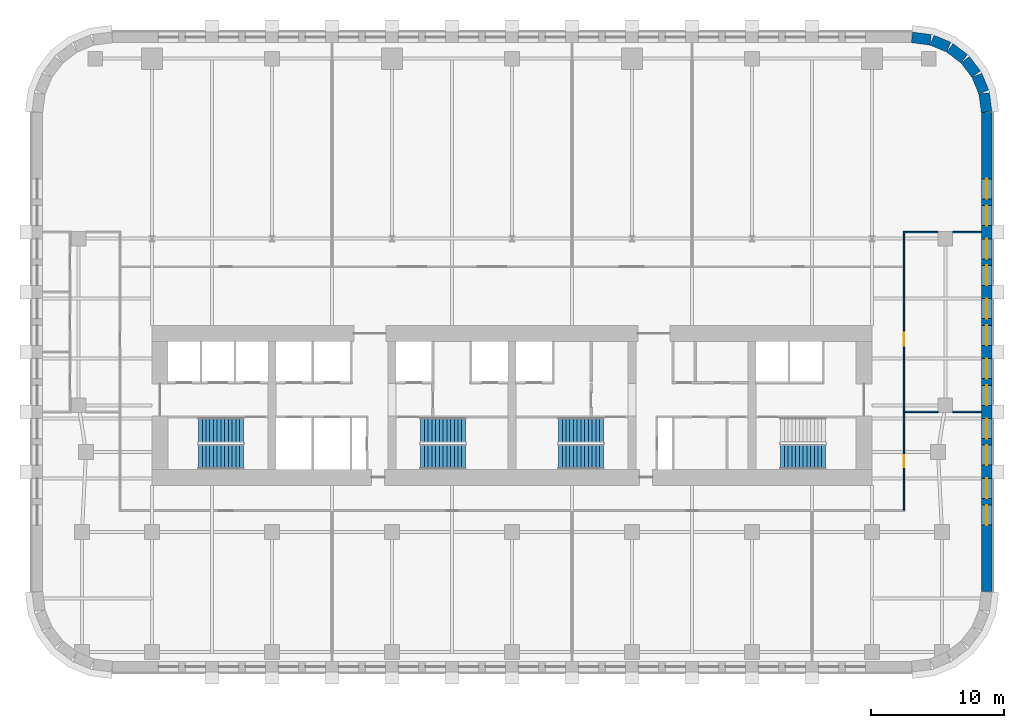
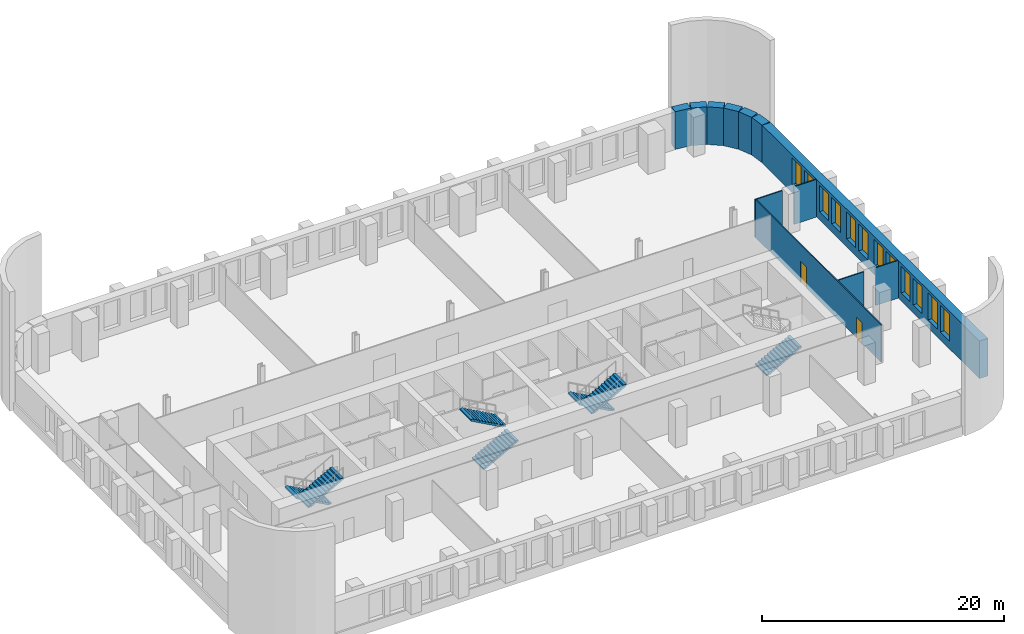
# One storey, part 8 of 11: 12 walls, 12 windows, 7 stair flights, 2 doors, 14 openings, 4 elements without a shape of their own.
"""IFC4 building model written with IfcOpenShell, lengths in metres."""

from ifc_helpers import new_model, si_unit, direction, frame, frame_2d, origin, place, context, subcontext, project, spatial, polyline, rectangle, outline, extrude, material, layer, layer_set, type_object, element, fill, aggregate, save


model = new_model("IFC4")

# Units and contexts
model_context = context("Model", 3, precision=1e-05, world=origin(), true_north=direction((0.0, 1.0)))
body_context = subcontext(model_context, "Body", "Model", "MODEL_VIEW")
ifc_project = project(units=[si_unit("LENGTHUNIT", "METRE"), si_unit("AREAUNIT", "SQUARE_METRE"), si_unit("VOLUMEUNIT", "CUBIC_METRE"), si_unit("PLANEANGLEUNIT", "RADIAN"), si_unit("MASSUNIT", "GRAM", prefix="KILO")], contexts=[model_context])

# Site, building, storey
site_placement = place(None, origin())
site = spatial("IfcSite", under=ifc_project, at=site_placement, CompositionType="ELEMENT")
building_placement = place(site_placement, origin())
building = spatial("IfcBuilding", under=site, at=building_placement, Name="Zellij Exchange Tower", CompositionType="ELEMENT")
storey_placement = place(building_placement, frame((0.0, 0.0, 64.5)))
storey = spatial("IfcBuildingStorey", under=building, at=storey_placement, Name="L12", CompositionType="ELEMENT", Elevation=64.5)

# Wall, openings, windows
ifc_material_1 = material(Name="Precast concrete C40/50", Category="concrete")
ifc_layer_1 = layer(ifc_material_1, 0.800048828125)
ifc_layer_set_1 = layer_set([ifc_layer_1], Name="Precast concrete C40/50")
wall_type_1 = type_object("IfcWallType", Name="ENV-EW1 Precast stone-piered wall 800", PredefinedType="SOLIDWALL", material=ifc_layer_set_1)
wall_1_placement = place(storey_placement, frame((35.60009765625, -21.947509765625, 0.0), z_axis=(0.0, 0.0, 1.0), x_axis=(0.0, 1.0, 0.0)))
wall_1 = element("IfcWall", 1, at=wall_1_placement, inside=storey, type_object=wall_type_1, Name="fac.L12.07", PredefinedType="SOLIDWALL", context=body_context, shape_type="SweptSolid", body=[
    extrude(rectangle(XDim=35.89501953125, YDim=0.800048828125, at=frame_2d((17.947509765625, 0.0))), origin(), (0.0, 0.0, 1.0), 3.800048828125),
])
opening_1_placement = place(wall_1_placement, frame((4.9638671875, 0.0, 0.800048828125)))
opening_1 = element("IfcOpeningElement", 2, at=opening_1_placement, cuts=wall_1, Name="Opening FZ1.25", PredefinedType="OPENING", context=body_context, shape_type="SweptSolid", body=[
    extrude(rectangle(XDim=1.5, YDim=2.699951171875, at=frame_2d((0.75, 1.35009765625))), frame((0.0, 0.412109375, 0.0), z_axis=(0.0, -1.0, 0.0), x_axis=(1.0, 0.0, 0.0)), (0.0, 0.0, 1.0), 0.823974609375),
])
opening_2_placement = place(wall_1_placement, frame((6.9638671875, 0.0, 0.800048828125)))
opening_2 = element("IfcOpeningElement", 3, at=opening_2_placement, cuts=wall_1, Name="Opening FZ1.26", PredefinedType="OPENING", context=body_context, shape_type="SweptSolid", body=[
    extrude(rectangle(XDim=1.5, YDim=2.699951171875, at=frame_2d((0.75, 1.35009765625))), frame((0.0, 0.412109375, 0.0), z_axis=(0.0, -1.0, 0.0), x_axis=(1.0, 0.0, 0.0)), (0.0, 0.0, 1.0), 0.823974609375),
])
opening_3_placement = place(wall_1_placement, frame((9.45751953125, 0.0, 0.800048828125)))
opening_3 = element("IfcOpeningElement", 4, at=opening_3_placement, cuts=wall_1, Name="Opening FZ1.27", PredefinedType="OPENING", context=body_context, shape_type="SweptSolid", body=[
    extrude(rectangle(XDim=1.5, YDim=2.699951171875, at=frame_2d((0.75, 1.35009765625))), frame((0.0, 0.412109375, 0.0), z_axis=(0.0, -1.0, 0.0), x_axis=(1.0, 0.0, 0.0)), (0.0, 0.0, 1.0), 0.823974609375),
])
opening_4_placement = place(wall_1_placement, frame((11.45751953125, 0.0, 0.800048828125)))
opening_4 = element("IfcOpeningElement", 5, at=opening_4_placement, cuts=wall_1, Name="Opening FZ1.28", PredefinedType="OPENING", context=body_context, shape_type="SweptSolid", body=[
    extrude(rectangle(XDim=1.5, YDim=2.699951171875, at=frame_2d((0.75, 1.35009765625))), frame((0.0, 0.412109375, 0.0), z_axis=(0.0, -1.0, 0.0), x_axis=(1.0, 0.0, 0.0)), (0.0, 0.0, 1.0), 0.823974609375),
])
opening_5_placement = place(wall_1_placement, frame((13.950927734375, 0.0, 0.800048828125)))
opening_5 = element("IfcOpeningElement", 6, at=opening_5_placement, cuts=wall_1, Name="Opening FZ1.29", PredefinedType="OPENING", context=body_context, shape_type="SweptSolid", body=[
    extrude(rectangle(XDim=1.5, YDim=2.699951171875, at=frame_2d((0.75, 1.35009765625))), frame((0.0, 0.412109375, 0.0), z_axis=(0.0, -1.0, 0.0), x_axis=(1.0, 0.0, 0.0)), (0.0, 0.0, 1.0), 0.823974609375),
])
opening_6_placement = place(wall_1_placement, frame((15.95068359375, 0.0, 0.800048828125)))
opening_6 = element("IfcOpeningElement", 7, at=opening_6_placement, cuts=wall_1, Name="Opening FZ1.30", PredefinedType="OPENING", context=body_context, shape_type="SweptSolid", body=[
    extrude(rectangle(XDim=1.5, YDim=2.699951171875, at=frame_2d((0.75, 1.35009765625))), frame((0.0, 0.412109375, 0.0), z_axis=(0.0, -1.0, 0.0), x_axis=(1.0, 0.0, 0.0)), (0.0, 0.0, 1.0), 0.823974609375),
])
opening_7_placement = place(wall_1_placement, frame((18.4443359375, 0.0, 0.800048828125)))
opening_7 = element("IfcOpeningElement", 8, at=opening_7_placement, cuts=wall_1, Name="Opening FZ1.31", PredefinedType="OPENING", context=body_context, shape_type="SweptSolid", body=[
    extrude(rectangle(XDim=1.5, YDim=2.699951171875, at=frame_2d((0.75, 1.35009765625))), frame((0.0, 0.412109375, 0.0), z_axis=(0.0, -1.0, 0.0), x_axis=(1.0, 0.0, 0.0)), (0.0, 0.0, 1.0), 0.823974609375),
])
opening_8_placement = place(wall_1_placement, frame((20.4443359375, 0.0, 0.800048828125)))
opening_8 = element("IfcOpeningElement", 9, at=opening_8_placement, cuts=wall_1, Name="Opening FZ1.32", PredefinedType="OPENING", context=body_context, shape_type="SweptSolid", body=[
    extrude(rectangle(XDim=1.5, YDim=2.699951171875, at=frame_2d((0.75, 1.35009765625))), frame((0.0, 0.412109375, 0.0), z_axis=(0.0, -1.0, 0.0), x_axis=(1.0, 0.0, 0.0)), (0.0, 0.0, 1.0), 0.823974609375),
])
opening_9_placement = place(wall_1_placement, frame((22.937744140625, 0.0, 0.800048828125)))
opening_9 = element("IfcOpeningElement", 10, at=opening_9_placement, cuts=wall_1, Name="Opening FZ1.33", PredefinedType="OPENING", context=body_context, shape_type="SweptSolid", body=[
    extrude(rectangle(XDim=1.5, YDim=2.699951171875, at=frame_2d((0.75, 1.35009765625))), frame((0.0, 0.412109375, 0.0), z_axis=(0.0, -1.0, 0.0), x_axis=(1.0, 0.0, 0.0)), (0.0, 0.0, 1.0), 0.823974609375),
])
opening_10_placement = place(wall_1_placement, frame((24.937744140625, 0.0, 0.800048828125)))
opening_10 = element("IfcOpeningElement", 11, at=opening_10_placement, cuts=wall_1, Name="Opening FZ1.34", PredefinedType="OPENING", context=body_context, shape_type="SweptSolid", body=[
    extrude(rectangle(XDim=1.5, YDim=2.699951171875, at=frame_2d((0.75, 1.35009765625))), frame((0.0, 0.412109375, 0.0), z_axis=(0.0, -1.0, 0.0), x_axis=(1.0, 0.0, 0.0)), (0.0, 0.0, 1.0), 0.823974609375),
])
opening_11_placement = place(wall_1_placement, frame((27.43115234375, 0.0, 0.800048828125)))
opening_11 = element("IfcOpeningElement", 12, at=opening_11_placement, cuts=wall_1, Name="Opening FZ1.35", PredefinedType="OPENING", context=body_context, shape_type="SweptSolid", body=[
    extrude(rectangle(XDim=1.5, YDim=2.699951171875, at=frame_2d((0.75, 1.35009765625))), frame((0.0, 0.412109375, 0.0), z_axis=(0.0, -1.0, 0.0), x_axis=(1.0, 0.0, 0.0)), (0.0, 0.0, 1.0), 0.823974609375),
])
opening_12_placement = place(wall_1_placement, frame((29.43115234375, 0.0, 0.800048828125)))
opening_12 = element("IfcOpeningElement", 13, at=opening_12_placement, cuts=wall_1, Name="Opening FZ1.36", PredefinedType="OPENING", context=body_context, shape_type="SweptSolid", body=[
    extrude(rectangle(XDim=1.5, YDim=2.699951171875, at=frame_2d((0.75, 1.35009765625))), frame((0.0, 0.412109375, 0.0), z_axis=(0.0, -1.0, 0.0), x_axis=(1.0, 0.0, 0.0)), (0.0, 0.0, 1.0), 0.823974609375),
])
ifc_material_2 = material(Name="Aluminium frame with insulating glass", Category="aluminium")
window_type = type_object("IfcWindowType", Name="ENV-W6 Window 1500x2700", PartitioningType="SINGLE_PANEL", PredefinedType="WINDOW", material=ifc_material_2)
window_1_placement = place(opening_1_placement, origin())
window_1 = element("IfcWindow", 14, at=window_1_placement, inside=storey, type_object=window_type, Name="Window FZ1.25", OverallHeight=2.699951171875, OverallWidth=1.5, PartitioningType="SINGLE_PANEL", PredefinedType="WINDOW", context=body_context, shape_type="SweptSolid", body=[
    extrude(rectangle(XDim=1.5, YDim=2.699951171875, at=frame_2d((0.75, 1.35009765625))), frame((0.0, 0.030029296875, 0.0), z_axis=(0.0, -1.0, 0.0), x_axis=(1.0, 0.0, 0.0)), (0.0, 0.0, 1.0), 0.06005859375),
])
fill(opening_1, window_1)
window_2_placement = place(opening_2_placement, origin())
window_2 = element("IfcWindow", 15, at=window_2_placement, inside=storey, type_object=window_type, Name="Window FZ1.26", OverallHeight=2.699951171875, OverallWidth=1.5, PartitioningType="SINGLE_PANEL", PredefinedType="WINDOW", context=body_context, shape_type="SweptSolid", body=[
    extrude(rectangle(XDim=1.5, YDim=2.699951171875, at=frame_2d((0.75, 1.35009765625))), frame((0.0, 0.030029296875, 0.0), z_axis=(0.0, -1.0, 0.0), x_axis=(1.0, 0.0, 0.0)), (0.0, 0.0, 1.0), 0.06005859375),
])
fill(opening_2, window_2)
window_3_placement = place(opening_3_placement, origin())
window_3 = element("IfcWindow", 16, at=window_3_placement, inside=storey, type_object=window_type, Name="Window FZ1.27", OverallHeight=2.699951171875, OverallWidth=1.5, PartitioningType="SINGLE_PANEL", PredefinedType="WINDOW", context=body_context, shape_type="SweptSolid", body=[
    extrude(rectangle(XDim=1.5, YDim=2.699951171875, at=frame_2d((0.75, 1.35009765625))), frame((0.0, 0.030029296875, 0.0), z_axis=(0.0, -1.0, 0.0), x_axis=(1.0, 0.0, 0.0)), (0.0, 0.0, 1.0), 0.06005859375),
])
fill(opening_3, window_3)
window_4_placement = place(opening_4_placement, origin())
window_4 = element("IfcWindow", 17, at=window_4_placement, inside=storey, type_object=window_type, Name="Window FZ1.28", OverallHeight=2.699951171875, OverallWidth=1.5, PartitioningType="SINGLE_PANEL", PredefinedType="WINDOW", context=body_context, shape_type="SweptSolid", body=[
    extrude(rectangle(XDim=1.5, YDim=2.699951171875, at=frame_2d((0.75, 1.35009765625))), frame((0.0, 0.030029296875, 0.0), z_axis=(0.0, -1.0, 0.0), x_axis=(1.0, 0.0, 0.0)), (0.0, 0.0, 1.0), 0.06005859375),
])
fill(opening_4, window_4)
window_5_placement = place(opening_5_placement, origin())
window_5 = element("IfcWindow", 18, at=window_5_placement, inside=storey, type_object=window_type, Name="Window FZ1.29", OverallHeight=2.699951171875, OverallWidth=1.5, PartitioningType="SINGLE_PANEL", PredefinedType="WINDOW", context=body_context, shape_type="SweptSolid", body=[
    extrude(rectangle(XDim=1.5, YDim=2.699951171875, at=frame_2d((0.75, 1.35009765625))), frame((0.0, 0.030029296875, 0.0), z_axis=(0.0, -1.0, 0.0), x_axis=(1.0, 0.0, 0.0)), (0.0, 0.0, 1.0), 0.06005859375),
])
fill(opening_5, window_5)
window_6_placement = place(opening_6_placement, origin())
window_6 = element("IfcWindow", 19, at=window_6_placement, inside=storey, type_object=window_type, Name="Window FZ1.30", OverallHeight=2.699951171875, OverallWidth=1.5, PartitioningType="SINGLE_PANEL", PredefinedType="WINDOW", context=body_context, shape_type="SweptSolid", body=[
    extrude(rectangle(XDim=1.5, YDim=2.699951171875, at=frame_2d((0.75, 1.35009765625))), frame((0.0, 0.030029296875, 0.0), z_axis=(0.0, -1.0, 0.0), x_axis=(1.0, 0.0, 0.0)), (0.0, 0.0, 1.0), 0.06005859375),
])
fill(opening_6, window_6)
window_7_placement = place(opening_7_placement, origin())
window_7 = element("IfcWindow", 20, at=window_7_placement, inside=storey, type_object=window_type, Name="Window FZ1.31", OverallHeight=2.699951171875, OverallWidth=1.5, PartitioningType="SINGLE_PANEL", PredefinedType="WINDOW", context=body_context, shape_type="SweptSolid", body=[
    extrude(rectangle(XDim=1.5, YDim=2.699951171875, at=frame_2d((0.75, 1.35009765625))), frame((0.0, 0.030029296875, 0.0), z_axis=(0.0, -1.0, 0.0), x_axis=(1.0, 0.0, 0.0)), (0.0, 0.0, 1.0), 0.06005859375),
])
fill(opening_7, window_7)
window_8_placement = place(opening_8_placement, origin())
window_8 = element("IfcWindow", 21, at=window_8_placement, inside=storey, type_object=window_type, Name="Window FZ1.32", OverallHeight=2.699951171875, OverallWidth=1.5, PartitioningType="SINGLE_PANEL", PredefinedType="WINDOW", context=body_context, shape_type="SweptSolid", body=[
    extrude(rectangle(XDim=1.5, YDim=2.699951171875, at=frame_2d((0.75, 1.35009765625))), frame((0.0, 0.030029296875, 0.0), z_axis=(0.0, -1.0, 0.0), x_axis=(1.0, 0.0, 0.0)), (0.0, 0.0, 1.0), 0.06005859375),
])
fill(opening_8, window_8)
window_9_placement = place(opening_9_placement, origin())
window_9 = element("IfcWindow", 22, at=window_9_placement, inside=storey, type_object=window_type, Name="Window FZ1.33", OverallHeight=2.699951171875, OverallWidth=1.5, PartitioningType="SINGLE_PANEL", PredefinedType="WINDOW", context=body_context, shape_type="SweptSolid", body=[
    extrude(rectangle(XDim=1.5, YDim=2.699951171875, at=frame_2d((0.75, 1.35009765625))), frame((0.0, 0.030029296875, 0.0), z_axis=(0.0, -1.0, 0.0), x_axis=(1.0, 0.0, 0.0)), (0.0, 0.0, 1.0), 0.06005859375),
])
fill(opening_9, window_9)
window_10_placement = place(opening_10_placement, origin())
window_10 = element("IfcWindow", 23, at=window_10_placement, inside=storey, type_object=window_type, Name="Window FZ1.34", OverallHeight=2.699951171875, OverallWidth=1.5, PartitioningType="SINGLE_PANEL", PredefinedType="WINDOW", context=body_context, shape_type="SweptSolid", body=[
    extrude(rectangle(XDim=1.5, YDim=2.699951171875, at=frame_2d((0.75, 1.35009765625))), frame((0.0, 0.030029296875, 0.0), z_axis=(0.0, -1.0, 0.0), x_axis=(1.0, 0.0, 0.0)), (0.0, 0.0, 1.0), 0.06005859375),
])
fill(opening_10, window_10)
window_11_placement = place(opening_11_placement, origin())
window_11 = element("IfcWindow", 24, at=window_11_placement, inside=storey, type_object=window_type, Name="Window FZ1.35", OverallHeight=2.699951171875, OverallWidth=1.5, PartitioningType="SINGLE_PANEL", PredefinedType="WINDOW", context=body_context, shape_type="SweptSolid", body=[
    extrude(rectangle(XDim=1.5, YDim=2.699951171875, at=frame_2d((0.75, 1.35009765625))), frame((0.0, 0.030029296875, 0.0), z_axis=(0.0, -1.0, 0.0), x_axis=(1.0, 0.0, 0.0)), (0.0, 0.0, 1.0), 0.06005859375),
])
fill(opening_11, window_11)
window_12_placement = place(opening_12_placement, origin())
window_12 = element("IfcWindow", 25, at=window_12_placement, inside=storey, type_object=window_type, Name="Window FZ1.36", OverallHeight=2.699951171875, OverallWidth=1.5, PartitioningType="SINGLE_PANEL", PredefinedType="WINDOW", context=body_context, shape_type="SweptSolid", body=[
    extrude(rectangle(XDim=1.5, YDim=2.699951171875, at=frame_2d((0.75, 1.35009765625))), frame((0.0, 0.030029296875, 0.0), z_axis=(0.0, -1.0, 0.0), x_axis=(1.0, 0.0, 0.0)), (0.0, 0.0, 1.0), 0.06005859375),
])
fill(opening_12, window_12)

# Walls
wall_2_placement = place(storey_placement, frame((35.5966796875, 13.999755859375, 0.0), z_axis=(0.0, 0.0, 1.0), x_axis=(-0.130517283865, 0.99144603414, 0.0)))
element("IfcWall", 26, at=wall_2_placement, inside=storey, type_object=wall_type_1, Name="fac.L12.08", PredefinedType="SOLIDWALL", context=body_context, shape_type="SweptSolid", body=[
    extrude(rectangle(XDim=1.408447265625, YDim=0.800048828125, at=frame_2d((0.7041015625, 0.0))), origin(), (0.0, 0.0, 1.0), 3.800048828125),
])
wall_3_placement = place(storey_placement, frame((35.3857421875, 15.497314453125, 0.0), z_axis=(0.0, 0.0, 1.0), x_axis=(-0.38276009378, 0.923847774587, 0.0)))
element("IfcWall", 27, at=wall_3_placement, inside=storey, type_object=wall_type_1, Name="fac.L12.09", PredefinedType="SOLIDWALL", context=body_context, shape_type="SweptSolid", body=[
    extrude(rectangle(XDim=1.35546875, YDim=0.800048828125, at=frame_2d((0.677734375, 0.0))), origin(), (0.0, 0.0, 1.0), 3.800048828125),
])
for number, where, z_axis, x_axis, name in (
    (28, (34.814697265625, 16.840087890625, 0.0), (0.0, 0.0, 1.0), (-0.608866226366, 0.793272915452, 0.0), "fac.L12.10"),
    (29, (33.91552734375, 17.9892578125, 0.0), (0.0, 0.0, 1.0), (-0.793272915452, 0.608866226366, 0.0), "fac.L12.11"),
):
    element("IfcWall", number, at=place(storey_placement, frame(where, z_axis=z_axis, x_axis=x_axis)), inside=storey, type_object=wall_type_1, Name=name, PredefinedType="SOLIDWALL", context=body_context, shape_type="SweptSolid", body=[
        extrude(rectangle(XDim=1.355712890625, YDim=0.800048828125, at=frame_2d((0.677734375, 0.0))), origin(), (0.0, 0.0, 1.0), 3.800048828125),
    ])
wall_4_placement = place(storey_placement, frame((32.74951171875, 18.866943359375, 0.0), z_axis=(0.0, 0.0, 1.0), x_axis=(-0.923847774587, 0.38276009378, 0.0)))
element("IfcWall", 30, at=wall_4_placement, inside=storey, type_object=wall_type_1, Name="fac.L12.12", PredefinedType="SOLIDWALL", context=body_context, shape_type="SweptSolid", body=[
    extrude(rectangle(XDim=1.35546875, YDim=0.800048828125, at=frame_2d((0.677734375, 0.0))), origin(), (0.0, 0.0, 1.0), 3.800048828125),
])
wall_5_placement = place(storey_placement, frame((31.396240234375, 19.412841796875, 0.0), z_axis=(0.0, 0.0, 1.0), x_axis=(-0.99144603414, 0.130517283865, 0.0)))
element("IfcWall", 31, at=wall_5_placement, inside=storey, type_object=wall_type_1, Name="fac.L12.13", PredefinedType="SOLIDWALL", context=body_context, shape_type="SweptSolid", body=[
    extrude(rectangle(XDim=1.408447265625, YDim=0.800048828125, at=frame_2d((0.7041015625, 0.0))), origin(), (0.0, 0.0, 1.0), 3.800048828125),
])

# Wall, openings, doors
ifc_material_3 = material(Name="Gypsum board partition on steel studs", Category="steel")
ifc_layer_2 = layer(ifc_material_3, 0.10009765625)
ifc_layer_set_2 = layer_set([ifc_layer_2], Name="Gypsum board partition on steel studs")
wall_type_2 = type_object("IfcWallType", Name="FIT-PARTITION-100", PredefinedType="PARTITIONING", material=ifc_layer_set_2)
wall_6_placement = place(storey_placement, frame((29.39990234375, -15.85009765625, 0.0), z_axis=(0.0, 0.0, 1.0), x_axis=(0.0, 1.0, 0.0)))
wall_6 = element("IfcWall", 32, at=wall_6_placement, inside=storey, type_object=wall_type_2, Name="FIT-PARTITION-100 009", PredefinedType="PARTITIONING", context=body_context, shape_type="SweptSolid", body=[
    extrude(rectangle(XDim=20.7900390625, YDim=0.10009765625, at=frame_2d((10.39501953125, 0.0))), origin(), (0.0, 0.0, 1.0), 3.800048828125),
])
opening_13_placement = place(wall_6_placement, frame((3.199951171875, 0.0, 0.0)))
opening_13 = element("IfcOpeningElement", 33, at=opening_13_placement, cuts=wall_6, Name="Opening TB.04", PredefinedType="OPENING", context=body_context, shape_type="SweptSolid", body=[
    extrude(rectangle(XDim=0.89990234375, YDim=2.10009765625, at=frame_2d((0.449951171875, 1.050048828125))), frame((0.0, 0.06201171875, 0.0), z_axis=(0.0, -1.0, 0.0), x_axis=(1.0, 0.0, 0.0)), (0.0, 0.0, 1.0), 0.1240234375),
])
opening_14_placement = place(wall_6_placement, frame((12.31005859375, 0.0, 0.0)))
opening_14 = element("IfcOpeningElement", 34, at=opening_14_placement, cuts=wall_6, Name="Opening TB.07", PredefinedType="OPENING", context=body_context, shape_type="SweptSolid", body=[
    extrude(rectangle(XDim=1.0, YDim=2.10009765625, at=frame_2d((0.5, 1.050048828125))), frame((0.0, 0.06201171875, 0.0), z_axis=(0.0, -1.0, 0.0), x_axis=(1.0, 0.0, 0.0)), (0.0, 0.0, 1.0), 0.1240234375),
])
ifc_material_4 = material(Name="Timber door set", Category="wood")
door_type_1 = type_object("IfcDoorType", Name="FIT-D1-ROOM-900X2100", OperationType="SINGLE_SWING_LEFT", PredefinedType="DOOR", material=ifc_material_4)
door_1_placement = place(opening_13_placement, origin())
door_1 = element("IfcDoor", 35, at=door_1_placement, inside=storey, type_object=door_type_1, Name="Door TB.04", OperationType="SINGLE_SWING_LEFT", OverallHeight=2.10009765625, OverallWidth=0.89990234375, PredefinedType="DOOR", context=body_context, shape_type="SweptSolid", body=[
    extrude(rectangle(XDim=0.89990234375, YDim=2.10009765625, at=frame_2d((0.449951171875, 1.050048828125))), frame((0.0, 0.02490234375, 0.0), z_axis=(0.0, -1.0, 0.0), x_axis=(1.0, 0.0, 0.0)), (0.0, 0.0, 1.0), 0.050048828125),
])
fill(opening_13, door_1)
door_type_2 = type_object("IfcDoorType", Name="FIT-D2-WIDE-1000X2100", OperationType="SINGLE_SWING_LEFT", PredefinedType="DOOR", material=ifc_material_4)
door_2_placement = place(opening_14_placement, origin())
door_2 = element("IfcDoor", 36, at=door_2_placement, inside=storey, type_object=door_type_2, Name="Door TB.07", OperationType="SINGLE_SWING_RIGHT", OverallHeight=2.10009765625, OverallWidth=1.0, PredefinedType="DOOR", context=body_context, shape_type="SweptSolid", body=[
    extrude(rectangle(XDim=1.0, YDim=2.10009765625, at=frame_2d((0.5, 1.050048828125))), frame((0.0, 0.02490234375, 0.0), z_axis=(0.0, -1.0, 0.0), x_axis=(1.0, 0.0, 0.0)), (0.0, 0.0, 1.0), 0.050048828125),
])
fill(opening_14, door_2)

# Walls
wall_7_placement = place(storey_placement, frame((29.449951171875, -8.489990234375, 0.0), z_axis=(0.0, 0.0, 1.0), x_axis=(1.0, 0.0, 0.0)))
element("IfcWall", 37, at=wall_7_placement, inside=storey, type_object=wall_type_2, Name="FIT-PARTITION-100 013", PredefinedType="PARTITIONING", context=body_context, shape_type="SweptSolid", body=[
    extrude(rectangle(XDim=2.5, YDim=0.10009765625, at=frame_2d((1.25, 0.0))), origin(), (0.0, 0.0, 1.0), 3.800048828125),
])
wall_8_placement = place(storey_placement, frame((33.050048828125, -8.489990234375, 0.0), z_axis=(0.0, 0.0, 1.0), x_axis=(1.0, 0.0, 0.0)))
element("IfcWall", 38, at=wall_8_placement, inside=storey, type_object=wall_type_2, Name="FIT-PARTITION-100 014", PredefinedType="PARTITIONING", context=body_context, shape_type="SweptSolid", body=[
    extrude(rectangle(XDim=2.14990234375, YDim=0.10009765625, at=frame_2d((1.074951171875, 0.0))), origin(), (0.0, 0.0, 1.0), 3.800048828125),
])
wall_9_placement = place(storey_placement, frame((29.35009765625, 4.989990234375, 0.0), z_axis=(0.0, 0.0, 1.0), x_axis=(1.0, 0.0, 0.0)))
element("IfcWall", 39, at=wall_9_placement, inside=storey, type_object=wall_type_2, Name="FIT-PARTITION-100 026", PredefinedType="PARTITIONING", context=body_context, shape_type="SweptSolid", body=[
    extrude(rectangle(XDim=2.599853515625, YDim=0.10009765625, at=frame_2d((1.2998046875, 0.0))), origin(), (0.0, 0.0, 1.0), 3.800048828125),
])
wall_10_placement = place(storey_placement, frame((33.050048828125, 4.989990234375, 0.0), z_axis=(0.0, 0.0, 1.0), x_axis=(1.0, 0.0, 0.0)))
element("IfcWall", 40, at=wall_10_placement, inside=storey, type_object=wall_type_2, Name="FIT-PARTITION-100 027", PredefinedType="PARTITIONING", context=body_context, shape_type="SweptSolid", body=[
    extrude(rectangle(XDim=2.14990234375, YDim=0.10009765625, at=frame_2d((1.074951171875, 0.0))), origin(), (0.0, 0.0, 1.0), 3.800048828125),
])

# Stair, stair flights
ifc_material_5 = material(Name="Concrete C40/50", Category="concrete")
stair_type = type_object("IfcStairType", Name="CORE-ST exit stair 1850 wide", PredefinedType="HALF_TURN_STAIR", material=ifc_material_5)
stair_1_placement = place(storey_placement, origin())
stair_1 = element("IfcStair", 41, at=stair_1_placement, inside=storey, type_object=stair_type, Name="L12 exit stair ST1", PredefinedType="HALF_TURN_STAIR")
stair_flight_type = type_object("IfcStairFlightType", Name="CORE-SF flight 1850 riser 153.8 going 280", PredefinedType="STRAIGHT", material=ifc_material_5)
stair_flight_1_placement = place(storey_placement, frame((-20.14990234375, -9.875, 0.0), z_axis=(0.0, 0.0, 1.0), x_axis=(-1.0, 0.0, 0.0)))
stair_flight_1 = element("IfcStairFlight", 42, at=stair_flight_1_placement, type_object=stair_flight_type, Name="ST1 flight 1", NumberOfRisers=13, NumberOfTreads=12, PredefinedType="STRAIGHT", RiserHeight=0.153846154, TreadLength=0.28, context=body_context, shape_type="SweptSolid", body=[
    extrude(outline(polyline([(0.0, 0.0), (0.0, 0.15380859375), (0.280029296875, 0.15380859375), (0.280029296875, 0.3076171875), (0.56005859375, 0.3076171875), (0.56005859375, 0.46142578125), (0.840087890625, 0.46142578125), (0.840087890625, 0.615478515625), (1.1201171875, 0.615478515625), (1.1201171875, 0.769287109375), (1.39990234375, 0.769287109375), (1.39990234375, 0.923095703125), (1.679931640625, 0.923095703125), (1.679931640625, 1.076904296875), (1.9599609375, 1.076904296875), (1.9599609375, 1.230712890625), (2.239990234375, 1.230712890625), (2.239990234375, 1.384521484375), (2.52001953125, 1.384521484375), (2.52001953125, 1.53857421875), (2.800048828125, 1.53857421875), (2.800048828125, 1.6923828125), (3.080078125, 1.6923828125), (3.080078125, 1.84619140625), (3.360107421875, 1.84619140625), (3.360107421875, 2.0), (3.360107421875, 1.675048828125), (0.311279296875, 0.0), (0.0, 0.0)])), frame((0.0, 0.925048828125, 0.0), z_axis=(0.0, -1.0, 0.0), x_axis=(1.0, 0.0, 0.0)), (0.0, 0.0, 1.0), 1.85009765625),
])
stair_flight_2_placement = place(storey_placement, frame((-23.510009765625, -11.875, 2.0), z_axis=(0.0, 0.0, 1.0), x_axis=(1.0, 0.0, 0.0)))
stair_flight_2 = element("IfcStairFlight", 43, at=stair_flight_2_placement, type_object=stair_flight_type, Name="ST1 flight 2", NumberOfRisers=13, NumberOfTreads=12, PredefinedType="STRAIGHT", RiserHeight=0.153846154, TreadLength=0.28, context=body_context, shape_type="SweptSolid", body=[
    extrude(outline(polyline([(0.0, 0.0), (0.0, 0.15380859375), (0.280029296875, 0.15380859375), (0.280029296875, 0.3076171875), (0.56005859375, 0.3076171875), (0.56005859375, 0.46142578125), (0.840087890625, 0.46142578125), (0.840087890625, 0.615478515625), (1.1201171875, 0.615478515625), (1.1201171875, 0.769287109375), (1.39990234375, 0.769287109375), (1.39990234375, 0.923095703125), (1.679931640625, 0.923095703125), (1.679931640625, 1.076904296875), (1.9599609375, 1.076904296875), (1.9599609375, 1.230712890625), (2.239990234375, 1.230712890625), (2.239990234375, 1.384521484375), (2.52001953125, 1.384521484375), (2.52001953125, 1.53857421875), (2.800048828125, 1.53857421875), (2.800048828125, 1.6923828125), (3.080078125, 1.6923828125), (3.080078125, 1.84619140625), (3.360107421875, 1.84619140625), (3.360107421875, 2.0), (3.360107421875, 1.675048828125), (0.311279296875, 0.0), (0.0, 0.0)])), frame((0.0, 0.925048828125, 0.0), z_axis=(0.0, -1.0, 0.0), x_axis=(1.0, 0.0, 0.0)), (0.0, 0.0, 1.0), 1.85009765625),
])
aggregate(stair_1, [stair_flight_1, stair_flight_2])

stair_2_placement = place(storey_placement, origin())
stair_2 = element("IfcStair", 44, at=stair_2_placement, inside=storey, type_object=stair_type, Name="L12 exit stair ST2", PredefinedType="HALF_TURN_STAIR")
stair_flight_3_placement = place(storey_placement, frame((-6.85009765625, -11.875, 0.0), z_axis=(0.0, 0.0, 1.0), x_axis=(1.0, 0.0, 0.0)))
stair_flight_3 = element("IfcStairFlight", 45, at=stair_flight_3_placement, type_object=stair_flight_type, Name="ST2 flight 1", NumberOfRisers=13, NumberOfTreads=12, PredefinedType="STRAIGHT", RiserHeight=0.153846154, TreadLength=0.28, context=body_context, shape_type="SweptSolid", body=[
    extrude(outline(polyline([(0.0, 0.0), (0.0, 0.15380859375), (0.280029296875, 0.15380859375), (0.280029296875, 0.3076171875), (0.56005859375, 0.3076171875), (0.56005859375, 0.46142578125), (0.840087890625, 0.46142578125), (0.840087890625, 0.615478515625), (1.1201171875, 0.615478515625), (1.1201171875, 0.769287109375), (1.39990234375, 0.769287109375), (1.39990234375, 0.923095703125), (1.679931640625, 0.923095703125), (1.679931640625, 1.076904296875), (1.9599609375, 1.076904296875), (1.9599609375, 1.230712890625), (2.239990234375, 1.230712890625), (2.239990234375, 1.384521484375), (2.52001953125, 1.384521484375), (2.52001953125, 1.53857421875), (2.800048828125, 1.53857421875), (2.800048828125, 1.6923828125), (3.080078125, 1.6923828125), (3.080078125, 1.84619140625), (3.360107421875, 1.84619140625), (3.360107421875, 2.0), (3.360107421875, 1.675048828125), (0.311279296875, 0.0), (0.0, 0.0)])), frame((0.0, 0.925048828125, 0.0), z_axis=(0.0, -1.0, 0.0), x_axis=(1.0, 0.0, 0.0)), (0.0, 0.0, 1.0), 1.85009765625),
])
stair_flight_4_placement = place(storey_placement, frame((-3.489990234375, -9.875, 2.0), z_axis=(0.0, 0.0, 1.0), x_axis=(-1.0, 0.0, 0.0)))
stair_flight_4 = element("IfcStairFlight", 46, at=stair_flight_4_placement, type_object=stair_flight_type, Name="ST2 flight 2", NumberOfRisers=13, NumberOfTreads=12, PredefinedType="STRAIGHT", RiserHeight=0.153846154, TreadLength=0.28, context=body_context, shape_type="SweptSolid", body=[
    extrude(outline(polyline([(0.0, 0.0), (0.0, 0.15380859375), (0.280029296875, 0.15380859375), (0.280029296875, 0.3076171875), (0.56005859375, 0.3076171875), (0.56005859375, 0.46142578125), (0.840087890625, 0.46142578125), (0.840087890625, 0.615478515625), (1.1201171875, 0.615478515625), (1.1201171875, 0.769287109375), (1.39990234375, 0.769287109375), (1.39990234375, 0.923095703125), (1.679931640625, 0.923095703125), (1.679931640625, 1.076904296875), (1.9599609375, 1.076904296875), (1.9599609375, 1.230712890625), (2.239990234375, 1.230712890625), (2.239990234375, 1.384521484375), (2.52001953125, 1.384521484375), (2.52001953125, 1.53857421875), (2.800048828125, 1.53857421875), (2.800048828125, 1.6923828125), (3.080078125, 1.6923828125), (3.080078125, 1.84619140625), (3.360107421875, 1.84619140625), (3.360107421875, 2.0), (3.360107421875, 1.675048828125), (0.311279296875, 0.0), (0.0, 0.0)])), frame((0.0, 0.925048828125, 0.0), z_axis=(0.0, -1.0, 0.0), x_axis=(1.0, 0.0, 0.0)), (0.0, 0.0, 1.0), 1.85009765625),
])
aggregate(stair_2, [stair_flight_3, stair_flight_4])

stair_3_placement = place(storey_placement, origin())
stair_3 = element("IfcStair", 47, at=stair_3_placement, inside=storey, type_object=stair_type, Name="L12 exit stair ST3", PredefinedType="HALF_TURN_STAIR")
stair_flight_5_placement = place(storey_placement, frame((6.85009765625, -9.875, 0.0), z_axis=(0.0, 0.0, 1.0), x_axis=(-1.0, 0.0, 0.0)))
stair_flight_5 = element("IfcStairFlight", 48, at=stair_flight_5_placement, type_object=stair_flight_type, Name="ST3 flight 1", NumberOfRisers=13, NumberOfTreads=12, PredefinedType="STRAIGHT", RiserHeight=0.153846154, TreadLength=0.28, context=body_context, shape_type="SweptSolid", body=[
    extrude(outline(polyline([(0.0, 0.0), (0.0, 0.15380859375), (0.280029296875, 0.15380859375), (0.280029296875, 0.3076171875), (0.56005859375, 0.3076171875), (0.56005859375, 0.46142578125), (0.840087890625, 0.46142578125), (0.840087890625, 0.615478515625), (1.1201171875, 0.615478515625), (1.1201171875, 0.769287109375), (1.39990234375, 0.769287109375), (1.39990234375, 0.923095703125), (1.679931640625, 0.923095703125), (1.679931640625, 1.076904296875), (1.9599609375, 1.076904296875), (1.9599609375, 1.230712890625), (2.239990234375, 1.230712890625), (2.239990234375, 1.384521484375), (2.52001953125, 1.384521484375), (2.52001953125, 1.53857421875), (2.800048828125, 1.53857421875), (2.800048828125, 1.6923828125), (3.080078125, 1.6923828125), (3.080078125, 1.84619140625), (3.360107421875, 1.84619140625), (3.360107421875, 2.0), (3.360107421875, 1.675048828125), (0.311279296875, 0.0), (0.0, 0.0)])), frame((0.0, 0.925048828125, 0.0), z_axis=(0.0, -1.0, 0.0), x_axis=(1.0, 0.0, 0.0)), (0.0, 0.0, 1.0), 1.85009765625),
])
stair_flight_6_placement = place(storey_placement, frame((3.489990234375, -11.875, 2.0), z_axis=(0.0, 0.0, 1.0), x_axis=(1.0, 0.0, 0.0)))
stair_flight_6 = element("IfcStairFlight", 49, at=stair_flight_6_placement, type_object=stair_flight_type, Name="ST3 flight 2", NumberOfRisers=13, NumberOfTreads=12, PredefinedType="STRAIGHT", RiserHeight=0.153846154, TreadLength=0.28, context=body_context, shape_type="SweptSolid", body=[
    extrude(outline(polyline([(0.0, 0.0), (0.0, 0.15380859375), (0.280029296875, 0.15380859375), (0.280029296875, 0.3076171875), (0.56005859375, 0.3076171875), (0.56005859375, 0.46142578125), (0.840087890625, 0.46142578125), (0.840087890625, 0.615478515625), (1.1201171875, 0.615478515625), (1.1201171875, 0.769287109375), (1.39990234375, 0.769287109375), (1.39990234375, 0.923095703125), (1.679931640625, 0.923095703125), (1.679931640625, 1.076904296875), (1.9599609375, 1.076904296875), (1.9599609375, 1.230712890625), (2.239990234375, 1.230712890625), (2.239990234375, 1.384521484375), (2.52001953125, 1.384521484375), (2.52001953125, 1.53857421875), (2.800048828125, 1.53857421875), (2.800048828125, 1.6923828125), (3.080078125, 1.6923828125), (3.080078125, 1.84619140625), (3.360107421875, 1.84619140625), (3.360107421875, 2.0), (3.360107421875, 1.675048828125), (0.311279296875, 0.0), (0.0, 0.0)])), frame((0.0, 0.925048828125, 0.0), z_axis=(0.0, -1.0, 0.0), x_axis=(1.0, 0.0, 0.0)), (0.0, 0.0, 1.0), 1.85009765625),
])
aggregate(stair_3, [stair_flight_5, stair_flight_6])

# Stair, stair flight
stair_4_placement = place(storey_placement, origin())
stair_4 = element("IfcStair", 50, at=stair_4_placement, inside=storey, type_object=stair_type, Name="L12 exit stair ST4", PredefinedType="HALF_TURN_STAIR")
stair_flight_7_placement = place(storey_placement, frame((20.14990234375, -11.875, 0.0), z_axis=(0.0, 0.0, 1.0), x_axis=(1.0, 0.0, 0.0)))
stair_flight_7 = element("IfcStairFlight", 51, at=stair_flight_7_placement, type_object=stair_flight_type, Name="ST4 flight 1", NumberOfRisers=13, NumberOfTreads=12, PredefinedType="STRAIGHT", RiserHeight=0.153846154, TreadLength=0.28, context=body_context, shape_type="SweptSolid", body=[
    extrude(outline(polyline([(0.0, 0.0), (0.0, 0.15380859375), (0.280029296875, 0.15380859375), (0.280029296875, 0.3076171875), (0.56005859375, 0.3076171875), (0.56005859375, 0.46142578125), (0.840087890625, 0.46142578125), (0.840087890625, 0.615478515625), (1.1201171875, 0.615478515625), (1.1201171875, 0.769287109375), (1.39990234375, 0.769287109375), (1.39990234375, 0.923095703125), (1.679931640625, 0.923095703125), (1.679931640625, 1.076904296875), (1.9599609375, 1.076904296875), (1.9599609375, 1.230712890625), (2.239990234375, 1.230712890625), (2.239990234375, 1.384521484375), (2.52001953125, 1.384521484375), (2.52001953125, 1.53857421875), (2.800048828125, 1.53857421875), (2.800048828125, 1.6923828125), (3.080078125, 1.6923828125), (3.080078125, 1.84619140625), (3.360107421875, 1.84619140625), (3.360107421875, 2.0), (3.360107421875, 1.675048828125), (0.311279296875, 0.0), (0.0, 0.0)])), frame((0.0, 0.925048828125, 0.0), z_axis=(0.0, -1.0, 0.0), x_axis=(1.0, 0.0, 0.0)), (0.0, 0.0, 1.0), 1.85009765625),
])
aggregate(stair_4, [stair_flight_7])

save(model, "model.ifc")
